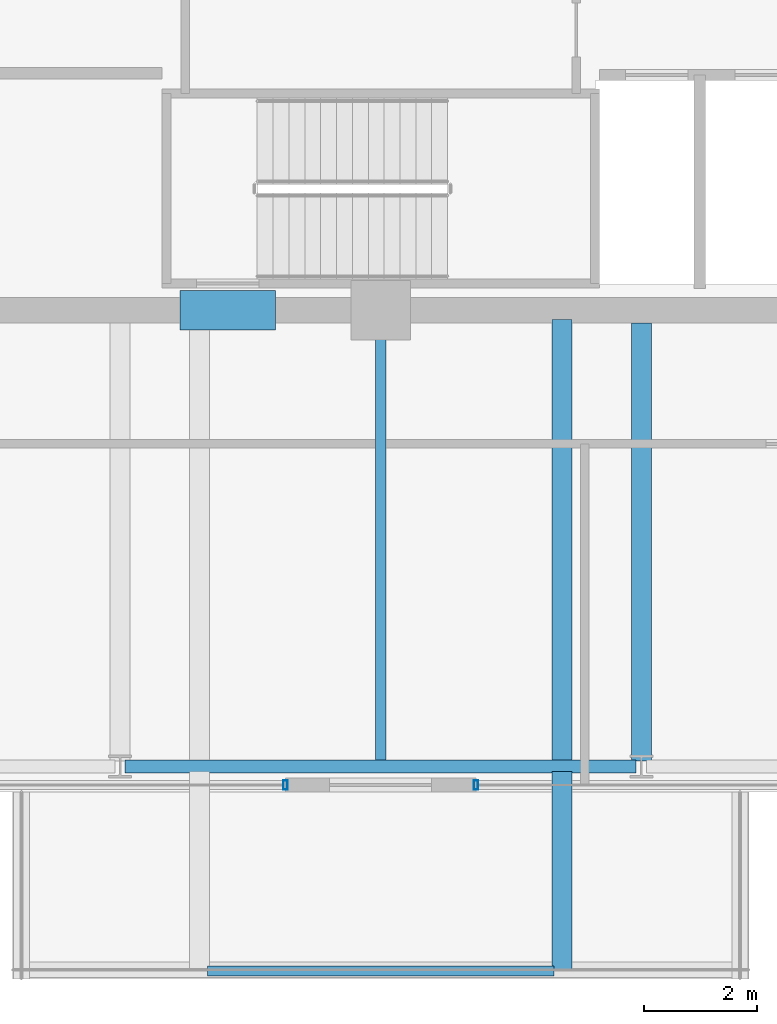
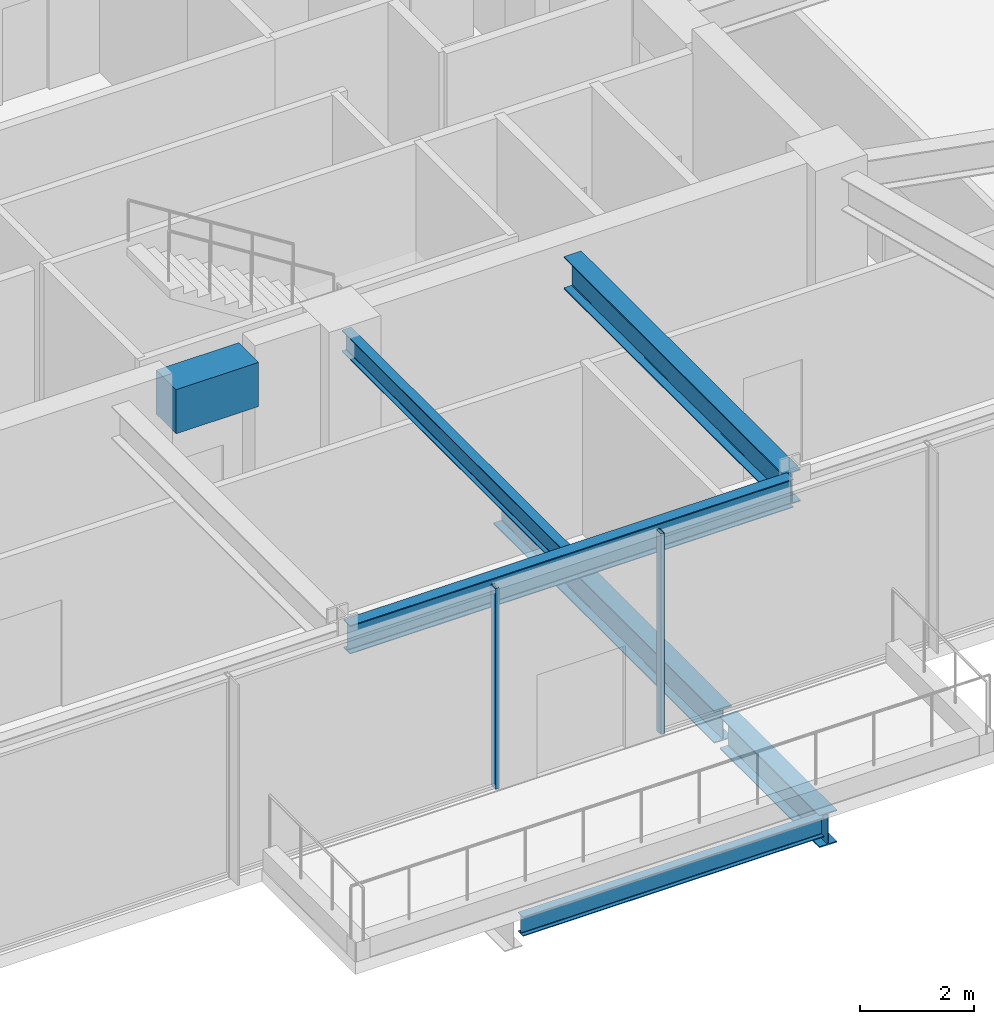
# One storey, part 5 of 30: 7 beams, 2 members, 2 elements without a shape of their own.
"""IFC4 building model written with IfcOpenShell, lengths in metres."""

from ifc_helpers import new_model, si_unit, direction, frame, origin, origin_2d, place, context, subcontext, project, spatial, rectangle, hollow_rectangle, i_section, extrude, material, material_profile, profile_set, type_object, element, aggregate, save


model = new_model("IFC4")

# Units and contexts
model_context = context("Model", 3, precision=1e-05, world=origin(), true_north=direction((0.0, 1.0)))
body_context = subcontext(model_context, "Body", "Model", "MODEL_VIEW")
ifc_project = project(units=[si_unit("LENGTHUNIT", "METRE"), si_unit("AREAUNIT", "SQUARE_METRE"), si_unit("VOLUMEUNIT", "CUBIC_METRE"), si_unit("PLANEANGLEUNIT", "RADIAN"), si_unit("MASSUNIT", "GRAM", prefix="KILO")], contexts=[model_context])

# Site, building, storey
site_placement = place(None, origin())
site = spatial("IfcSite", under=ifc_project, at=site_placement, CompositionType="ELEMENT")
building_placement = place(site_placement, origin())
building = spatial("IfcBuilding", under=site, at=building_placement, Name="Kolvaren Belvedere", CompositionType="ELEMENT")
storey_placement = place(building_placement, frame((0.0, 0.0, 262.800048828125)))
storey = spatial("IfcBuildingStorey", under=building, at=storey_placement, Name="L76", CompositionType="ELEMENT", Elevation=262.800048828125)

# Beams
ifc_material_1 = material(Name="Structural steel ASTM A992 Grade 50", Category="steel")
ifc_material_profile_1 = material_profile(ifc_material_1, i_section(OverallWidth=0.35498046875, OverallDepth=0.696044921875, WebThickness=0.015380859375, FlangeThickness=0.02490234375, FilletRadius=0.02197265625, at=origin_2d()), Name="W27X146")
ifc_profile_set_1 = profile_set([ifc_material_profile_1], Name="Structural steel ASTM A992 Grade 50")
beam_type_1 = type_object("IfcBeamType", Name="BM-CANT-BAL", PredefinedType="BEAM", material=ifc_profile_set_1)
beam_1_placement = place(storey_placement, frame((3.199951171875, -18.044921875, -0.6279296875), z_axis=(0.0, -1.0, 0.0), x_axis=(1.0, 0.0, 0.0)))
element("IfcBeam", 1, at=beam_1_placement, inside=storey, type_object=beam_type_1, Name="L76 Planted Balcony Cantilever SKYBAR-S-2", PredefinedType="BEAM", context=body_context, shape_type="SweptSolid", body=[
    extrude(i_section(OverallWidth=0.35498046875, OverallDepth=0.696044921875, WebThickness=0.015380859375, FlangeThickness=0.02490234375, FilletRadius=0.02197265625, at=origin_2d()), origin(), (0.0, 0.0, 1.0), 3.51513671875),
])
ifc_material_2 = material(Name="Structural steel ASTM A992 Grade 50", Category="steel")
ifc_material_profile_2 = material_profile(ifc_material_2, i_section(OverallWidth=0.180908203125, OverallDepth=0.4169921875, WebThickness=0.010986328125, FlangeThickness=0.018310546875, FilletRadius=0.013916015625, at=origin_2d()), Name="W16X57")
ifc_profile_set_2 = profile_set([ifc_material_profile_2], Name="Structural steel ASTM A992 Grade 50")
beam_type_2 = type_object("IfcBeamType", Name="BM-EDGE-W16X57", PredefinedType="BEAM", material=ifc_profile_set_2)
beam_2_placement = place(storey_placement, frame((-3.06005859375, -21.56005859375, -0.488525390625), z_axis=(1.0, 0.0, 0.0), x_axis=(0.0, 1.0, 0.0)))
element("IfcBeam", 2, at=beam_2_placement, inside=storey, type_object=beam_type_2, Name="L76 Balcony Tip Header Beam SKYBAR-S", PredefinedType="BEAM", context=body_context, shape_type="SweptSolid", body=[
    extrude(i_section(OverallWidth=0.180908203125, OverallDepth=0.4169921875, WebThickness=0.010986328125, FlangeThickness=0.018310546875, FilletRadius=0.013916015625, at=origin_2d()), origin(), (0.0, 0.0, 1.0), 6.1201171875),
])
ifc_material_3 = material(Name="Structural steel ASTM A992 Grade 50", Category="steel")
ifc_material_profile_3 = material_profile(ifc_material_3, i_section(OverallWidth=0.35498046875, OverallDepth=0.696044921875, WebThickness=0.015380859375, FlangeThickness=0.02490234375, FilletRadius=0.02197265625, at=origin_2d()), Name="W27X146")
ifc_profile_set_3 = profile_set([ifc_material_profile_3], Name="Structural steel ASTM A992 Grade 50")
beam_type_3 = type_object("IfcBeamType", Name="BM-GIRD-W27X146", PredefinedType="BEAM", material=ifc_profile_set_3)
beam_3_placement = place(storey_placement, frame((3.199951171875, -10.06494140625, -0.6279296875), z_axis=(0.0, -1.0, 0.0), x_axis=(1.0, 0.0, 0.0)))
element("IfcBeam", 3, at=beam_3_placement, inside=storey, type_object=beam_type_3, Name="L76 Balcony Interior Back-Span Girder SKYBAR-S-2", PredefinedType="BEAM", context=body_context, shape_type="SweptSolid", body=[
    extrude(i_section(OverallWidth=0.35498046875, OverallDepth=0.696044921875, WebThickness=0.015380859375, FlangeThickness=0.02490234375, FilletRadius=0.02197265625, at=origin_2d()), origin(), (0.0, 0.0, 1.0), 7.7900390625),
])
beam_4_placement = place(storey_placement, frame((4.60009765625, -10.125, 3.971923828125), z_axis=(0.0, -1.0, 0.0), x_axis=(1.0, 0.0, 0.0)))
element("IfcBeam", 4, at=beam_4_placement, inside=storey, type_object=beam_type_3, Name="L76 South Radial Girder P", PredefinedType="BEAM", context=body_context, shape_type="SweptSolid", body=[
    extrude(i_section(OverallWidth=0.35498046875, OverallDepth=0.696044921875, WebThickness=0.015380859375, FlangeThickness=0.02490234375, FilletRadius=0.02197265625, at=origin_2d()), origin(), (0.0, 0.0, 1.0), 7.7333984375),
])
ifc_material_4 = material(Name="Structural steel ASTM A992 Grade 50", Category="steel")
ifc_material_profile_4 = material_profile(ifc_material_4, i_section(OverallWidth=0.19091796875, OverallDepth=0.4599609375, WebThickness=0.010009765625, FlangeThickness=0.01611328125, FilletRadius=0.014892578125, at=origin_2d()), Name="W18X55")
ifc_profile_set_4 = profile_set([ifc_material_profile_4], Name="Structural steel ASTM A992 Grade 50")
beam_type_4 = type_object("IfcBeamType", Name="BM-JOIST-W18X55", PredefinedType="BEAM", material=ifc_profile_set_4)
beam_5_placement = place(storey_placement, frame((0.0, -10.125, 4.08984375), z_axis=(0.0, -1.0, 0.0), x_axis=(1.0, 0.0, 0.0)))
element("IfcBeam", 5, at=beam_5_placement, inside=storey, type_object=beam_type_4, Name="L76 South Centre Floor Beam", PredefinedType="BEAM", context=body_context, shape_type="SweptSolid", body=[
    extrude(i_section(OverallWidth=0.19091796875, OverallDepth=0.4599609375, WebThickness=0.010009765625, FlangeThickness=0.01611328125, FilletRadius=0.014892578125, at=origin_2d()), origin(), (0.0, 0.0, 1.0), 7.71044921875),
])
ifc_material_5 = material(Name="Concrete C60/75", Category="concrete")
ifc_material_profile_5 = material_profile(ifc_material_5, rectangle(XDim=0.699951171875, YDim=0.949951171875, at=origin_2d()), Name="RC 700X950")
ifc_profile_set_5 = profile_set([ifc_material_profile_5], Name="Concrete C60/75")
beam_type_5 = type_object("IfcBeamType", Name="BM-LINT-950", PredefinedType="LINTEL", material=ifc_profile_set_5)
beam_6_placement = place(storey_placement, frame((-3.5400390625, -9.89990234375, 3.844970703125), z_axis=(1.0, 0.0, 0.0), x_axis=(0.0, 1.0, 0.0)))
element("IfcBeam", 6, at=beam_6_placement, inside=storey, type_object=beam_type_5, Name="L76 South Core Coupling Lintel", PredefinedType="LINTEL", context=body_context, shape_type="SweptSolid", body=[
    extrude(rectangle(XDim=0.699951171875, YDim=0.949951171875, at=origin_2d()), origin(), (0.0, 0.0, 1.0), 1.679931640625),
])
ifc_material_6 = material(Name="Structural steel ASTM A992 Grade 50", Category="steel")
ifc_material_profile_6 = material_profile(ifc_material_6, i_section(OverallWidth=0.22900390625, OverallDepth=0.612060546875, WebThickness=0.011962890625, FlangeThickness=0.01953125, FilletRadius=0.01806640625, at=origin_2d()), Name="W24X84")
ifc_profile_set_6 = profile_set([ifc_material_profile_6], Name="Structural steel ASTM A992 Grade 50")
beam_type_6 = type_object("IfcBeamType", Name="BM-SPAN-W24X84", PredefinedType="SPANDREL", material=ifc_profile_set_6)
beam_7_placement = place(storey_placement, frame((-4.50830078125, -17.949951171875, 4.013916015625), z_axis=(1.0, 0.0, 0.0), x_axis=(0.0, 1.0, 0.0)))
element("IfcBeam", 7, at=beam_7_placement, inside=storey, type_object=beam_type_6, Name="L76 Perimeter Spandrel S2-S3", PredefinedType="SPANDREL", context=body_context, shape_type="SweptSolid", body=[
    extrude(i_section(OverallWidth=0.22900390625, OverallDepth=0.612060546875, WebThickness=0.011962890625, FlangeThickness=0.01953125, FilletRadius=0.01806640625, at=origin_2d()), origin(), (0.0, 0.0, 1.0), 9.0166015625),
])

# Curtain wall, member
ifc_material_7 = material(Name="Anodised pale-metal aluminium AA 6063-T6", Category="aluminium")
curtain_wall_type = type_object("IfcCurtainWallType", Name="CW-CRN-OBS", PredefinedType="NOTDEFINED", material=ifc_material_7)
curtain_wall_1_placement = place(storey_placement, origin())
curtain_wall_1 = element("IfcCurtainWall", 8, at=curtain_wall_1_placement, inside=storey, type_object=curtain_wall_type, Name="L76 Unitised Curtain Wall FCW-L76-S1", PredefinedType="NOTDEFINED")
ifc_material_8 = material(Name="Anodised pale-metal aluminium AA 6063-T6", Category="aluminium")
ifc_material_profile_7 = material_profile(ifc_material_8, hollow_rectangle(XDim=0.074951171875, YDim=0.159912109375, WallThickness=0.00439453125, at=origin_2d()), Name="ALU-MUL-160X75")
ifc_profile_set_7 = profile_set([ifc_material_profile_7], Name="Anodised pale-metal aluminium AA 6063-T6")
member_type = type_object("IfcMemberType", Name="CW-MUL-160", PredefinedType="MULLION", material=ifc_profile_set_7)
member_1_placement = place(storey_placement, frame((1.679931640625, -18.280029296875, 0.0), z_axis=(0.0, 0.0, 1.0), x_axis=(1.0, 0.0, 0.0)))
member_1 = element("IfcMember", 9, at=member_1_placement, type_object=member_type, Name="FCW-L76-S1 Unitised Mullion 3", PredefinedType="MULLION", context=body_context, shape_type="SweptSolid", body=[
    extrude(hollow_rectangle(XDim=0.074951171875, YDim=0.159912109375, WallThickness=0.00439453125, at=origin_2d()), origin(), (0.0, 0.0, 1.0), 4.320068359375),
])
aggregate(curtain_wall_1, [member_1])

curtain_wall_2_placement = place(storey_placement, origin())
curtain_wall_2 = element("IfcCurtainWall", 10, at=curtain_wall_2_placement, inside=storey, type_object=curtain_wall_type, Name="L76 Unitised Curtain Wall FCW-L76-S2", PredefinedType="NOTDEFINED")
member_2_placement = place(storey_placement, frame((-1.679931640625, -18.280029296875, 0.0), z_axis=(0.0, 0.0, 1.0), x_axis=(1.0, 0.0, 0.0)))
member_2 = element("IfcMember", 11, at=member_2_placement, type_object=member_type, Name="FCW-L76-S2 Unitised Mullion 1", PredefinedType="MULLION", context=body_context, shape_type="SweptSolid", body=[
    extrude(hollow_rectangle(XDim=0.074951171875, YDim=0.159912109375, WallThickness=0.00439453125, at=origin_2d()), origin(), (0.0, 0.0, 1.0), 4.320068359375),
])
aggregate(curtain_wall_2, [member_2])

save(model, "model.ifc")
